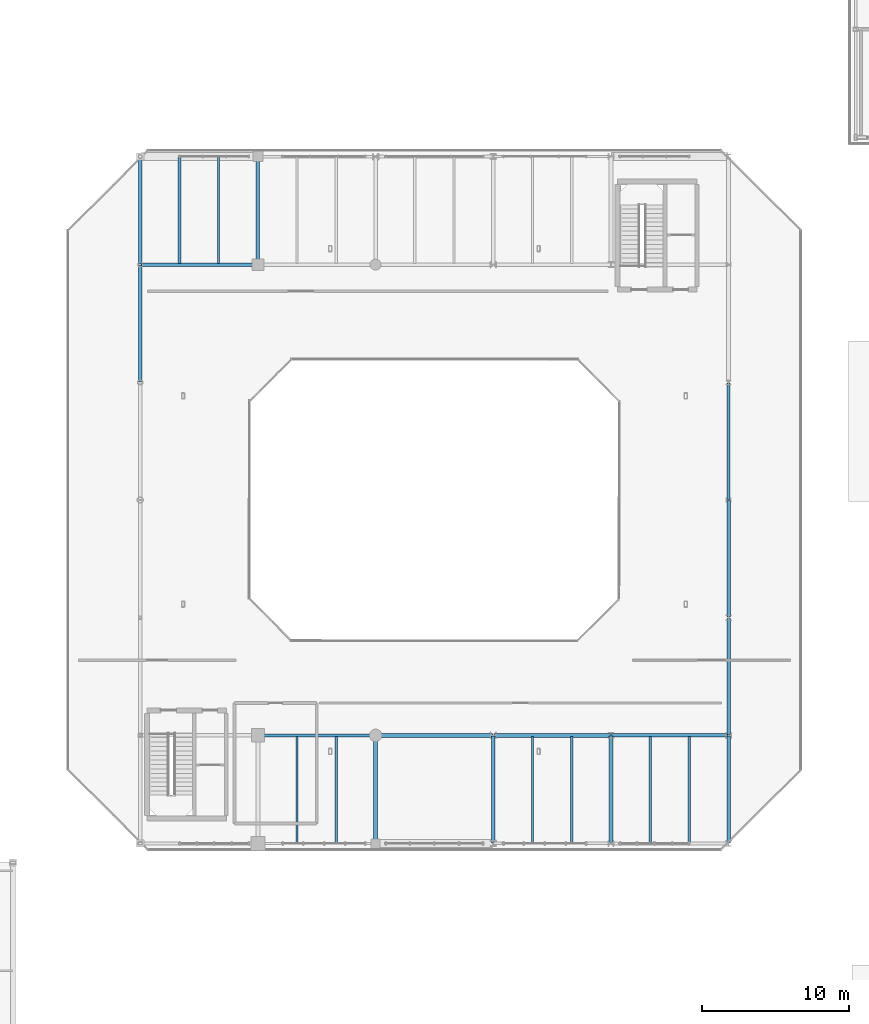
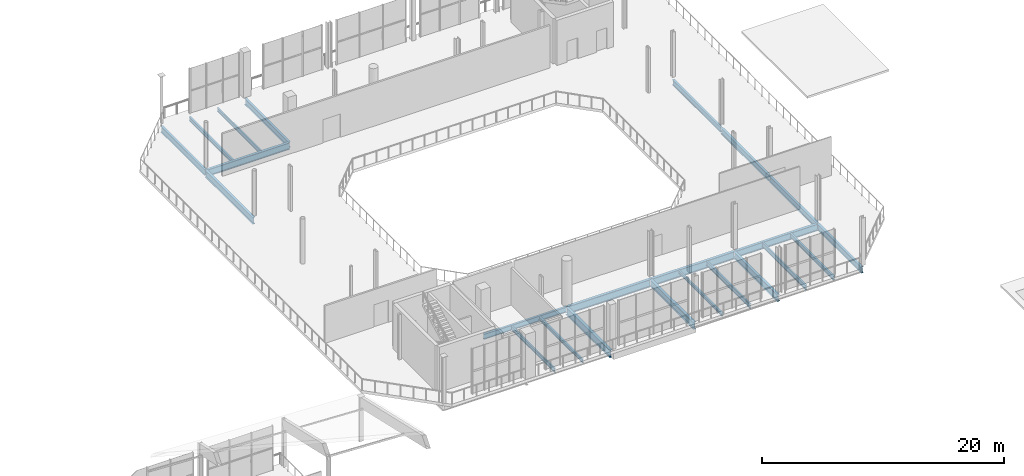
# One storey, part 20 of 51: 23 beams.
"""IFC4 building model written with IfcOpenShell, lengths in metres."""

from ifc_helpers import new_model, si_unit, direction, frame, origin, origin_2d, place, context, subcontext, project, spatial, i_section, extrude, material, material_profile, profile_set, type_object, element, save


model = new_model("IFC4")

# Units and contexts
model_context = context("Model", 3, precision=1e-05, world=origin(), true_north=direction((0.0, 1.0)))
body_context = subcontext(model_context, "Body", "Model", "MODEL_VIEW")
ifc_project = project(units=[si_unit("LENGTHUNIT", "METRE"), si_unit("AREAUNIT", "SQUARE_METRE"), si_unit("VOLUMEUNIT", "CUBIC_METRE"), si_unit("PLANEANGLEUNIT", "RADIAN"), si_unit("MASSUNIT", "GRAM", prefix="KILO")], contexts=[model_context])

# Site, building, storey
site_placement = place(None, origin())
site = spatial("IfcSite", under=ifc_project, at=site_placement, CompositionType="ELEMENT")
building_placement = place(site_placement, origin())
building = spatial("IfcBuilding", under=site, at=building_placement, Name="Brisemont Oceanarium", CompositionType="ELEMENT")
storey_placement = place(building_placement, frame((0.0, 0.0, 15.0)))
storey = spatial("IfcBuildingStorey", under=building, at=storey_placement, Name="L03", CompositionType="ELEMENT", Elevation=15.0)

# Beams
ifc_material_1 = material(Name="Structural Steel ASTM A992 Gr.50", Category="steel")
ifc_material_profile_1 = material_profile(ifc_material_1, i_section(OverallWidth=0.1650390625, OverallDepth=0.31005859375, WebThickness=0.005859375, FlangeThickness=0.009765625, FilletRadius=0.008056640625, at=origin_2d()), Name="W12X26")
ifc_profile_set_1 = profile_set([ifc_material_profile_1], Name="Structural Steel ASTM A992 Gr.50")
beam_type_1 = type_object("IfcBeamType", Name="BM-W12X26", PredefinedType="JOIST", material=ifc_profile_set_1)
beam_1_placement = place(storey_placement, frame((90.666748046875, 32.68994140625, -0.43505859375), z_axis=(0.0, 1.0, 0.0), x_axis=(-1.0, 0.0, 0.0)))
element("IfcBeam", 1, at=beam_1_placement, inside=storey, type_object=beam_type_1, Name="V1 L03 secondary floor beam", PredefinedType="JOIST", context=body_context, shape_type="SweptSolid", body=[
    extrude(i_section(OverallWidth=0.1650390625, OverallDepth=0.31005859375, WebThickness=0.005859375, FlangeThickness=0.009765625, FilletRadius=0.008056640625, at=origin_2d()), origin(), (0.0, 0.0, 1.0), 7.219970703125),
])
ifc_material_2 = material(Name="Structural Steel ASTM A992 Gr.50", Category="steel")
ifc_material_profile_2 = material_profile(ifc_material_2, i_section(OverallWidth=0.1708984375, OverallDepth=0.35107421875, WebThickness=0.0068359375, FlangeThickness=0.009765625, FilletRadius=0.010009765625, at=origin_2d()), Name="W14X30")
ifc_profile_set_2 = profile_set([ifc_material_profile_2], Name="Structural Steel ASTM A992 Gr.50")
beam_type_2 = type_object("IfcBeamType", Name="BM-W14X30", PredefinedType="JOIST", material=ifc_profile_set_2)
beam_2_placement = place(storey_placement, frame((77.333251953125, 32.68994140625, -0.45556640625), z_axis=(0.0, 1.0, 0.0), x_axis=(-1.0, 0.0, 0.0)))
element("IfcBeam", 2, at=beam_2_placement, inside=storey, type_object=beam_type_2, Name="V1 L03 secondary floor beam", PredefinedType="JOIST", context=body_context, shape_type="SweptSolid", body=[
    extrude(i_section(OverallWidth=0.1708984375, OverallDepth=0.35107421875, WebThickness=0.0068359375, FlangeThickness=0.009765625, FilletRadius=0.010009765625, at=origin_2d()), origin(), (0.0, 0.0, 1.0), 7.219970703125),
])
ifc_material_3 = material(Name="Structural Steel ASTM A992 Gr.50", Category="steel")
ifc_material_profile_3 = material_profile(ifc_material_3, i_section(OverallWidth=0.139892578125, OverallDepth=0.39892578125, WebThickness=0.00634765625, FlangeThickness=0.0087890625, FilletRadius=0.010009765625, at=origin_2d()), Name="W16X26")
ifc_profile_set_3 = profile_set([ifc_material_profile_3], Name="Structural Steel ASTM A992 Gr.50")
beam_type_3 = type_object("IfcBeamType", Name="BM-W16X26", PredefinedType="JOIST", material=ifc_profile_set_3)
for number, where, z_axis, x_axis, name in (
    (3, (69.333251953125, 72.090087890625, -0.4794921875), (0.0, 1.0, 0.0), (-1.0, 0.0, 0.0), "V1 L03 secondary floor beam"),
    (4, (74.666748046875, 32.68994140625, -0.4794921875), (0.0, 1.0, 0.0), (-1.0, 0.0, 0.0), "V1 L03 secondary floor beam"),
):
    element("IfcBeam", number, at=place(storey_placement, frame(where, z_axis=z_axis, x_axis=x_axis)), inside=storey, type_object=beam_type_3, Name=name, PredefinedType="JOIST", context=body_context, shape_type="SweptSolid", body=[
        extrude(i_section(OverallWidth=0.139892578125, OverallDepth=0.39892578125, WebThickness=0.00634765625, FlangeThickness=0.0087890625, FilletRadius=0.010009765625, at=origin_2d()), origin(), (0.0, 0.0, 1.0), 7.219970703125),
    ])
ifc_material_4 = material(Name="Structural Steel ASTM A992 Gr.50", Category="steel")
ifc_material_profile_4 = material_profile(ifc_material_4, i_section(OverallWidth=0.177978515625, OverallDepth=0.404052734375, WebThickness=0.007568359375, FlangeThickness=0.010986328125, FilletRadius=0.010009765625, at=origin_2d()), Name="W16X36")
ifc_profile_set_4 = profile_set([ifc_material_profile_4], Name="Structural Steel ASTM A992 Gr.50")
beam_type_4 = type_object("IfcBeamType", Name="BM-W16X36", PredefinedType="JOIST", material=ifc_profile_set_4)
for number, where, z_axis, x_axis, name in (
    (5, (66.666748046875, 72.090087890625, -0.48193359375), (0.0, 1.0, 0.0), (-1.0, 0.0, 0.0), "V1 L03 secondary floor beam"),
    (6, (101.333251953125, 32.68994140625, -0.48193359375), (0.0, 1.0, 0.0), (-1.0, 0.0, 0.0), "V1 L03 secondary floor beam"),
):
    element("IfcBeam", number, at=place(storey_placement, frame(where, z_axis=z_axis, x_axis=x_axis)), inside=storey, type_object=beam_type_4, Name=name, PredefinedType="JOIST", context=body_context, shape_type="SweptSolid", body=[
        extrude(i_section(OverallWidth=0.177978515625, OverallDepth=0.404052734375, WebThickness=0.007568359375, FlangeThickness=0.010986328125, FilletRadius=0.010009765625, at=origin_2d()), origin(), (0.0, 0.0, 1.0), 7.219970703125),
    ])
ifc_material_5 = material(Name="Structural Steel ASTM A992 Gr.50", Category="steel")
ifc_material_profile_5 = material_profile(ifc_material_5, i_section(OverallWidth=0.153076171875, OverallDepth=0.455078125, WebThickness=0.008056640625, FlangeThickness=0.01318359375, FilletRadius=0.010986328125, at=origin_2d()), Name="W18X40")
ifc_profile_set_5 = profile_set([ifc_material_profile_5], Name="Structural Steel ASTM A992 Gr.50")
beam_type_5 = type_object("IfcBeamType", Name="BM-W18X40", PredefinedType="JOIST", material=ifc_profile_set_5)
for number, where, z_axis, x_axis, name in (
    (7, (93.333251953125, 32.68994140625, -0.507568359375), (0.0, 1.0, 0.0), (-1.0, 0.0, 0.0), "V1 L03 secondary floor beam"),
    (8, (98.666748046875, 32.68994140625, -0.507568359375), (0.0, 1.0, 0.0), (-1.0, 0.0, 0.0), "V1 L03 secondary floor beam"),
):
    element("IfcBeam", number, at=place(storey_placement, frame(where, z_axis=z_axis, x_axis=x_axis)), inside=storey, type_object=beam_type_5, Name=name, PredefinedType="JOIST", context=body_context, shape_type="SweptSolid", body=[
        extrude(i_section(OverallWidth=0.153076171875, OverallDepth=0.455078125, WebThickness=0.008056640625, FlangeThickness=0.01318359375, FilletRadius=0.010986328125, at=origin_2d()), origin(), (0.0, 0.0, 1.0), 7.219970703125),
    ])
ifc_material_6 = material(Name="Structural Steel ASTM A992 Gr.50", Category="steel")
ifc_material_profile_6 = material_profile(ifc_material_6, i_section(OverallWidth=0.2099609375, OverallDepth=0.532958984375, WebThickness=0.01025390625, FlangeThickness=0.015625, FilletRadius=0.012939453125, at=origin_2d()), Name="W21X62")
ifc_profile_set_6 = profile_set([ifc_material_profile_6], Name="Structural Steel ASTM A992 Gr.50")
beam_type_6 = type_object("IfcBeamType", Name="BM-W21X62", PredefinedType="BEAM", material=ifc_profile_set_6)
for number, where, z_axis, x_axis, name in (
    (9, (72.0400390625, 40.0, -0.54638671875), (1.0, 0.0, 0.0), (0.0, 1.0, 0.0), "V1 L03 EW girder"),
    (10, (104.0, 56.0400390625, -0.54638671875), (0.0, 1.0, 0.0), (-1.0, 0.0, 0.0), "V1 L03 NS girder"),
):
    element("IfcBeam", number, at=place(storey_placement, frame(where, z_axis=z_axis, x_axis=x_axis)), inside=storey, type_object=beam_type_6, Name=name, PredefinedType="BEAM", context=body_context, shape_type="SweptSolid", body=[
        extrude(i_section(OverallWidth=0.2099609375, OverallDepth=0.532958984375, WebThickness=0.01025390625, FlangeThickness=0.015625, FilletRadius=0.012939453125, at=origin_2d()), origin(), (0.0, 0.0, 1.0), 7.919921875),
    ])
ifc_material_7 = material(Name="Structural Steel ASTM A992 Gr.50", Category="steel")
ifc_material_profile_7 = material_profile(ifc_material_7, i_section(OverallWidth=0.22802734375, OverallDepth=0.60205078125, WebThickness=0.010498046875, FlangeThickness=0.014892578125, FilletRadius=0.012939453125, at=origin_2d()), Name="W24X68")
ifc_profile_set_7 = profile_set([ifc_material_profile_7], Name="Structural Steel ASTM A992 Gr.50")
beam_type_7 = type_object("IfcBeamType", Name="BM-W24X68", PredefinedType="BEAM", material=ifc_profile_set_7)
beam_3_placement = place(storey_placement, frame((104.0, 48.0400390625, -0.5810546875), z_axis=(0.0, 1.0, 0.0), x_axis=(-1.0, 0.0, 0.0)))
element("IfcBeam", 11, at=beam_3_placement, inside=storey, type_object=beam_type_7, Name="V1 L03 NS girder", PredefinedType="BEAM", context=body_context, shape_type="SweptSolid", body=[
    extrude(i_section(OverallWidth=0.22802734375, OverallDepth=0.60205078125, WebThickness=0.010498046875, FlangeThickness=0.014892578125, FilletRadius=0.012939453125, at=origin_2d()), origin(), (0.0, 0.0, 1.0), 7.919921875),
])
ifc_material_8 = material(Name="Structural Steel ASTM A992 Gr.50", Category="steel")
ifc_material_profile_8 = material_profile(ifc_material_8, i_section(OverallWidth=0.22802734375, OverallDepth=0.60791015625, WebThickness=0.01123046875, FlangeThickness=0.017333984375, FilletRadius=0.012939453125, at=origin_2d()), Name="W24X76")
ifc_profile_set_8 = profile_set([ifc_material_profile_8], Name="Structural Steel ASTM A992 Gr.50")
beam_type_8 = type_object("IfcBeamType", Name="BM-W24X76", PredefinedType="BEAM", material=ifc_profile_set_8)
beam_4_placement = place(storey_placement, frame((72.0, 72.0400390625, -0.583984375), z_axis=(0.0, 1.0, 0.0), x_axis=(-1.0, 0.0, 0.0)))
element("IfcBeam", 12, at=beam_4_placement, inside=storey, type_object=beam_type_8, Name="V1 L03 NS girder", PredefinedType="BEAM", context=body_context, shape_type="SweptSolid", body=[
    extrude(i_section(OverallWidth=0.22802734375, OverallDepth=0.60791015625, WebThickness=0.01123046875, FlangeThickness=0.017333984375, FilletRadius=0.012939453125, at=origin_2d()), origin(), (0.0, 0.0, 1.0), 7.27001953125),
])
beam_5_placement = place(storey_placement, frame((104.0, 40.0400390625, -0.583984375), z_axis=(0.0, 1.0, 0.0), x_axis=(-1.0, 0.0, 0.0)))
element("IfcBeam", 13, at=beam_5_placement, inside=storey, type_object=beam_type_8, Name="V1 L03 NS girder", PredefinedType="BEAM", context=body_context, shape_type="SweptSolid", body=[
    extrude(i_section(OverallWidth=0.22802734375, OverallDepth=0.60791015625, WebThickness=0.01123046875, FlangeThickness=0.017333984375, FilletRadius=0.012939453125, at=origin_2d()), origin(), (0.0, 0.0, 1.0), 7.919921875),
])
ifc_material_9 = material(Name="Structural Steel ASTM A992 Gr.50", Category="steel")
ifc_material_profile_9 = material_profile(ifc_material_9, i_section(OverallWidth=0.22900390625, OverallDepth=0.612060546875, WebThickness=0.011962890625, FlangeThickness=0.01953125, FilletRadius=0.012939453125, at=origin_2d()), Name="W24X84")
ifc_profile_set_9 = profile_set([ifc_material_profile_9], Name="Structural Steel ASTM A992 Gr.50")
beam_type_9 = type_object("IfcBeamType", Name="BM-W24X84", PredefinedType="BEAM", material=ifc_profile_set_9)
for number, where, z_axis, x_axis, name in (
    (14, (64.0, 72.0400390625, -0.5859375), (0.0, 1.0, 0.0), (-1.0, 0.0, 0.0), "V1 L03 NS girder"),
    (15, (104.0, 32.68994140625, -0.5859375), (0.0, 1.0, 0.0), (-1.0, 0.0, 0.0), "V1 L03 NS girder"),
):
    element("IfcBeam", number, at=place(storey_placement, frame(where, z_axis=z_axis, x_axis=x_axis)), inside=storey, type_object=beam_type_9, Name=name, PredefinedType="BEAM", context=body_context, shape_type="SweptSolid", body=[
        extrude(i_section(OverallWidth=0.22900390625, OverallDepth=0.612060546875, WebThickness=0.011962890625, FlangeThickness=0.01953125, FilletRadius=0.012939453125, at=origin_2d()), origin(), (0.0, 0.0, 1.0), 7.27001953125),
    ])
ifc_material_10 = material(Name="Structural Steel ASTM A992 Gr.50", Category="steel")
ifc_material_profile_10 = material_profile(ifc_material_10, i_section(OverallWidth=0.2529296875, OverallDepth=0.677978515625, WebThickness=0.01171875, FlangeThickness=0.016357421875, FilletRadius=0.014892578125, at=origin_2d()), Name="W27X84")
ifc_profile_set_10 = profile_set([ifc_material_profile_10], Name="Structural Steel ASTM A992 Gr.50")
beam_type_10 = type_object("IfcBeamType", Name="BM-W27X84", PredefinedType="BEAM", material=ifc_profile_set_10)
beam_6_placement = place(storey_placement, frame((64.0, 64.0400390625, -0.618896484375), z_axis=(0.0, 1.0, 0.0), x_axis=(-1.0, 0.0, 0.0)))
element("IfcBeam", 16, at=beam_6_placement, inside=storey, type_object=beam_type_10, Name="V1 L03 NS girder", PredefinedType="BEAM", context=body_context, shape_type="SweptSolid", body=[
    extrude(i_section(OverallWidth=0.2529296875, OverallDepth=0.677978515625, WebThickness=0.01171875, FlangeThickness=0.016357421875, FilletRadius=0.014892578125, at=origin_2d()), origin(), (0.0, 0.0, 1.0), 7.919921875),
])
beam_7_placement = place(storey_placement, frame((96.0, 32.68994140625, -0.618896484375), z_axis=(0.0, 1.0, 0.0), x_axis=(-1.0, 0.0, 0.0)))
element("IfcBeam", 17, at=beam_7_placement, inside=storey, type_object=beam_type_10, Name="V1 L03 NS girder", PredefinedType="BEAM", context=body_context, shape_type="SweptSolid", body=[
    extrude(i_section(OverallWidth=0.2529296875, OverallDepth=0.677978515625, WebThickness=0.01171875, FlangeThickness=0.016357421875, FilletRadius=0.014892578125, at=origin_2d()), origin(), (0.0, 0.0, 1.0), 7.27001953125),
])
ifc_material_11 = material(Name="Structural Steel ASTM A992 Gr.50", Category="steel")
ifc_material_profile_11 = material_profile(ifc_material_11, i_section(OverallWidth=0.25390625, OverallDepth=0.68310546875, WebThickness=0.012451171875, FlangeThickness=0.018798828125, FilletRadius=0.014892578125, at=origin_2d()), Name="W27X94")
ifc_profile_set_11 = profile_set([ifc_material_profile_11], Name="Structural Steel ASTM A992 Gr.50")
beam_type_11 = type_object("IfcBeamType", Name="BM-W27X94", PredefinedType="BEAM", material=ifc_profile_set_11)
for number, where, z_axis, x_axis, name in (
    (18, (96.0400390625, 40.0, -0.62158203125), (1.0, 0.0, 0.0), (0.0, 1.0, 0.0), "V1 L03 EW girder"),
    (19, (64.0400390625, 72.0, -0.62158203125), (1.0, 0.0, 0.0), (0.0, 1.0, 0.0), "V1 L03 EW girder"),
):
    element("IfcBeam", number, at=place(storey_placement, frame(where, z_axis=z_axis, x_axis=x_axis)), inside=storey, type_object=beam_type_11, Name=name, PredefinedType="BEAM", context=body_context, shape_type="SweptSolid", body=[
        extrude(i_section(OverallWidth=0.25390625, OverallDepth=0.68310546875, WebThickness=0.012451171875, FlangeThickness=0.018798828125, FilletRadius=0.014892578125, at=origin_2d()), origin(), (0.0, 0.0, 1.0), 7.919921875),
    ])
beam_8_placement = place(storey_placement, frame((88.0, 32.68994140625, -0.62158203125), z_axis=(0.0, 1.0, 0.0), x_axis=(-1.0, 0.0, 0.0)))
element("IfcBeam", 20, at=beam_8_placement, inside=storey, type_object=beam_type_11, Name="V1 L03 NS girder", PredefinedType="BEAM", context=body_context, shape_type="SweptSolid", body=[
    extrude(i_section(OverallWidth=0.25390625, OverallDepth=0.68310546875, WebThickness=0.012451171875, FlangeThickness=0.018798828125, FilletRadius=0.014892578125, at=origin_2d()), origin(), (0.0, 0.0, 1.0), 7.27001953125),
])
ifc_material_12 = material(Name="Structural Steel ASTM A992 Gr.50", Category="steel")
ifc_material_profile_12 = material_profile(ifc_material_12, i_section(OverallWidth=0.26708984375, OverallDepth=0.761962890625, WebThickness=0.014404296875, FlangeThickness=0.021484375, FilletRadius=0.01611328125, at=origin_2d()), Name="W30X116")
ifc_profile_set_12 = profile_set([ifc_material_profile_12], Name="Structural Steel ASTM A992 Gr.50")
beam_type_12 = type_object("IfcBeamType", Name="BM-W30X116", PredefinedType="BEAM", material=ifc_profile_set_12)
beam_9_placement = place(storey_placement, frame((80.0400390625, 40.0, -0.660888671875), z_axis=(1.0, 0.0, 0.0), x_axis=(0.0, 1.0, 0.0)))
element("IfcBeam", 21, at=beam_9_placement, inside=storey, type_object=beam_type_12, Name="V1 L03 EW girder", PredefinedType="BEAM", context=body_context, shape_type="SweptSolid", body=[
    extrude(i_section(OverallWidth=0.26708984375, OverallDepth=0.761962890625, WebThickness=0.014404296875, FlangeThickness=0.021484375, FilletRadius=0.01611328125, at=origin_2d()), origin(), (0.0, 0.0, 1.0), 7.919921875),
])
ifc_material_13 = material(Name="Structural Steel ASTM A992 Gr.50", Category="steel")
ifc_material_profile_13 = material_profile(ifc_material_13, i_section(OverallWidth=0.264892578125, OverallDepth=0.7529296875, WebThickness=0.01318359375, FlangeThickness=0.01708984375, FilletRadius=0.01611328125, at=origin_2d()), Name="W30X99")
ifc_profile_set_13 = profile_set([ifc_material_profile_13], Name="Structural Steel ASTM A992 Gr.50")
beam_type_13 = type_object("IfcBeamType", Name="BM-W30X99", PredefinedType="BEAM", material=ifc_profile_set_13)
beam_10_placement = place(storey_placement, frame((88.0400390625, 40.0, -0.656494140625), z_axis=(1.0, 0.0, 0.0), x_axis=(0.0, 1.0, 0.0)))
element("IfcBeam", 22, at=beam_10_placement, inside=storey, type_object=beam_type_13, Name="V1 L03 EW girder", PredefinedType="BEAM", context=body_context, shape_type="SweptSolid", body=[
    extrude(i_section(OverallWidth=0.264892578125, OverallDepth=0.7529296875, WebThickness=0.01318359375, FlangeThickness=0.01708984375, FilletRadius=0.01611328125, at=origin_2d()), origin(), (0.0, 0.0, 1.0), 7.919921875),
])
beam_11_placement = place(storey_placement, frame((80.0, 32.68994140625, -0.656494140625), z_axis=(0.0, 1.0, 0.0), x_axis=(-1.0, 0.0, 0.0)))
element("IfcBeam", 23, at=beam_11_placement, inside=storey, type_object=beam_type_13, Name="V1 L03 NS girder", PredefinedType="BEAM", context=body_context, shape_type="SweptSolid", body=[
    extrude(i_section(OverallWidth=0.264892578125, OverallDepth=0.7529296875, WebThickness=0.01318359375, FlangeThickness=0.01708984375, FilletRadius=0.01611328125, at=origin_2d()), origin(), (0.0, 0.0, 1.0), 7.27001953125),
])

save(model, "model.ifc")
